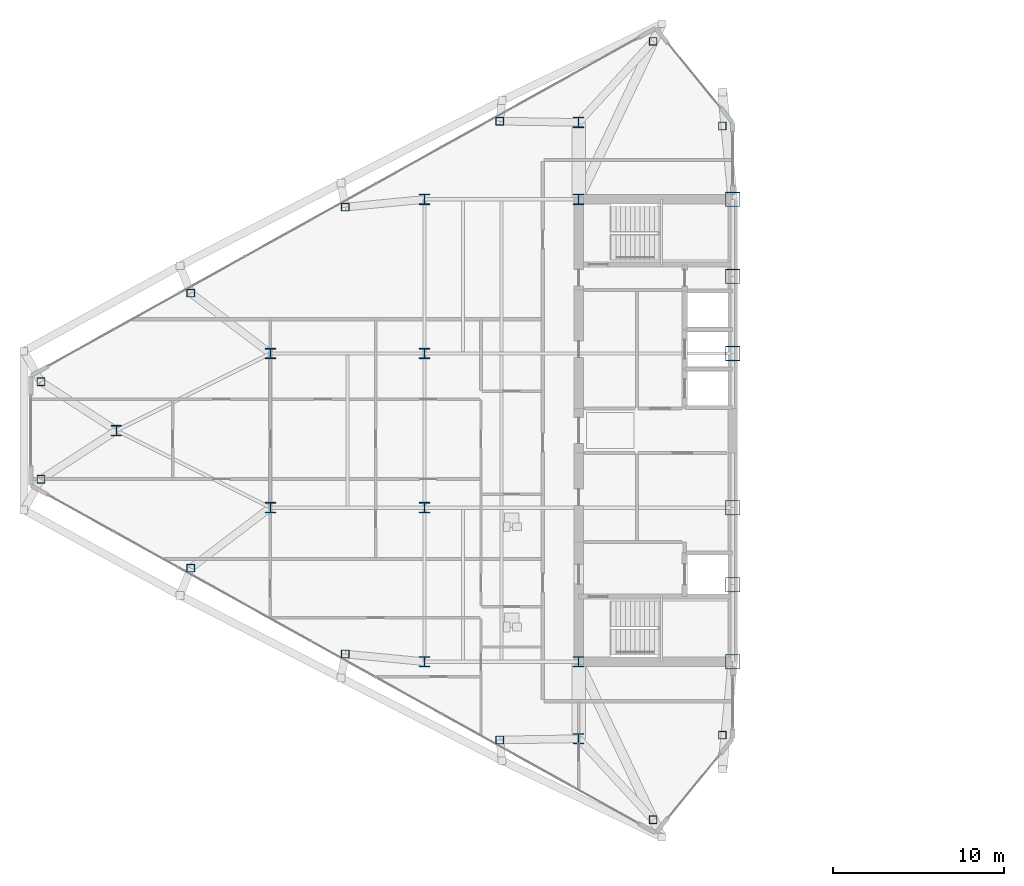
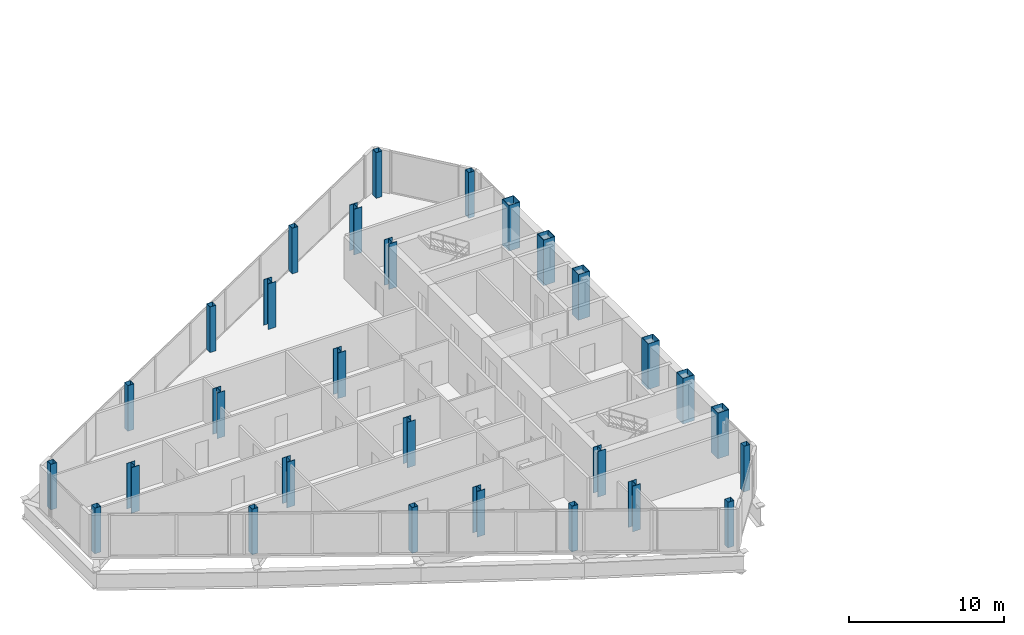
# One storey, part 1 of 28: 29 columns.
"""IFC4 building model written with IfcOpenShell, lengths in metres."""

import ifcopenshell
import ifcopenshell.guid

model = None  # the IFC model being written
_history = None  # IfcOwnerHistory: only IFC2X3 demands one
_inside = {}  # id of a spatial element -> (the spatial element, [elements in it])
_under = {}  # id of a project, library or spatial element -> (it, [spatial elements below it])
_declared = {}  # id of a project -> (the project, [libraries it declares])
_typed = {}  # id of a type object -> (the type object, [elements of that type])
_made_of = {}  # id of a material, layer set ... -> (it, [elements and type objects made of it])


def new_model(schema):
    """Start an empty IFC model of exactly this schema.

    Asked for "IFC4X3", IfcOpenShell would pick the latest addendum, in which some entities
    have other attributes; the version numbers below select the first issue.
    IFC2X3 requires an IfcOwnerHistory on every rooted entity: one is made here for all.
    """
    global model, _history
    if schema == "IFC4X3":
        model = ifcopenshell.file(schema_version=(4, 3, 0, 0))
    else:
        model = ifcopenshell.file(schema=schema)
    _inside.clear()
    _under.clear()
    _declared.clear()
    _typed.clear()
    _made_of.clear()
    _history = None
    if model.schema == "IFC2X3":
        org = make("IfcOrganization", Name="unknown")
        user = make(
            "IfcPersonAndOrganization",
            ThePerson=make("IfcPerson", FamilyName="unknown"),
            TheOrganization=org,
        )
        app = make(
            "IfcApplication",
            ApplicationDeveloper=org,
            Version="unknown",
            ApplicationFullName="unknown",
            ApplicationIdentifier="unknown",
        )
        _history = make(
            "IfcOwnerHistory",
            OwningUser=user,
            OwningApplication=app,
            ChangeAction="ADDED",
            CreationDate=0,
        )
    return model


def make(cls, **values):
    """One entity of the class cls with the attributes given. An attribute that is None is left unset."""
    return model.create_entity(
        cls, **{name: value for name, value in values.items() if value is not None}
    )


def rooted(cls, **values):
    """An entity with a GlobalId (a new one), such as an element, a storey or a relation."""
    return make(cls, GlobalId=ifcopenshell.guid.new(), OwnerHistory=_history, **values)


def si_unit(unit_type, name, prefix=None):
    """IfcSIUnit, for example si_unit("LENGTHUNIT", "METRE", prefix="MILLI")."""
    return make("IfcSIUnit", UnitType=unit_type, Prefix=prefix, Name=name)


def assignment(units):
    """IfcUnitAssignment: the units of a project."""
    return None if units is None else make("IfcUnitAssignment", Units=units)


def point(xyz):
    """IfcCartesianPoint."""
    return None if xyz is None else make("IfcCartesianPoint", Coordinates=xyz)


def direction(xyz):
    """IfcDirection."""
    return None if xyz is None else make("IfcDirection", DirectionRatios=xyz)


def frame(location, z_axis=None, x_axis=None):
    """IfcAxis2Placement3D, a coordinate frame: its origin and axes. An axis left out is left unset."""
    return make(
        "IfcAxis2Placement3D",
        Location=point(location),
        Axis=direction(z_axis),
        RefDirection=direction(x_axis),
    )


def frame_2d(location, x_axis=None):
    """IfcAxis2Placement2D, a coordinate frame in the plane: its origin and x axis."""
    return make(
        "IfcAxis2Placement2D", Location=point(location), RefDirection=direction(x_axis)
    )


def origin():
    """The frame at (0, 0, 0) with its axes left unset."""
    return frame((0.0, 0.0, 0.0))


def origin_2d():
    """The frame at (0, 0) in the plane with its x axis left unset."""
    return frame_2d((0.0, 0.0))


def place(relative_to, where):
    """IfcLocalPlacement: puts the frame where relative to a parent placement (None: the world)."""
    return make(
        "IfcLocalPlacement", PlacementRelTo=relative_to, RelativePlacement=where
    )


def context(
    kind, dimensions, precision=None, world=None, true_north=None, identifier=None
):
    """IfcGeometricRepresentationContext, for example the 3D "Model" context."""
    return make(
        "IfcGeometricRepresentationContext",
        ContextIdentifier=identifier,
        ContextType=kind,
        CoordinateSpaceDimension=dimensions,
        Precision=precision,
        WorldCoordinateSystem=world,
        TrueNorth=true_north,
    )


def subcontext(parent, identifier, kind, view, scale=None):
    """IfcGeometricRepresentationSubContext, for example "Body" below "Model"."""
    return make(
        "IfcGeometricRepresentationSubContext",
        ContextIdentifier=identifier,
        ContextType=kind,
        ParentContext=parent,
        TargetScale=scale,
        TargetView=view,
    )


def project(units=None, contexts=None):
    """IfcProject with its units and contexts."""
    return rooted(
        "IfcProject",
        Name="project",
        RepresentationContexts=contexts,
        UnitsInContext=assignment(units),
    )


def spatial(cls, under=None, at=None, **own):
    """A site, building, storey or space (cls), placed at a placement, below another one or the project."""
    s = rooted(cls, ObjectPlacement=at, **own)
    if under is not None:
        _under.setdefault(under.id(), (under, []))[1].append(s)
    return s


def profile(cls, at=None, kind="AREA", **sizes):
    """A parametric profile (cls). Its sizes go by their IFC names, for example OverallWidth=200.0."""
    return make(cls, ProfileType=kind, Position=at, **sizes)


def hollow_rectangle(**sizes):
    """IfcRectangleHollowProfileDef."""
    return profile("IfcRectangleHollowProfileDef", **sizes)


def i_section(**sizes):
    """IfcIShapeProfileDef."""
    return profile("IfcIShapeProfileDef", **sizes)


def extrude(swept, where, along, depth):
    """IfcExtrudedAreaSolid: the profile swept, set in the frame where, extruded along a direction by depth."""
    return make(
        "IfcExtrudedAreaSolid",
        SweptArea=swept,
        Position=where,
        ExtrudedDirection=direction(along),
        Depth=depth,
    )


def shape(context_of_items, identifier, shape_type, items):
    """IfcShapeRepresentation: the items that make up one representation, for example the "Body"."""
    return make(
        "IfcShapeRepresentation",
        ContextOfItems=context_of_items,
        RepresentationIdentifier=identifier,
        RepresentationType=shape_type,
        Items=items,
    )


def source(mapping_origin, context_of_items, identifier, shape_type, items):
    """IfcRepresentationMap: a shape defined once, which mapped items show again and again."""
    return make(
        "IfcRepresentationMap",
        MappingOrigin=mapping_origin,
        MappedRepresentation=shape(context_of_items, identifier, shape_type, items),
    )


def transform(
    local_origin,
    x_axis=None,
    y_axis=None,
    z_axis=None,
    scale=None,
    scale2=None,
    scale3=None,
    uniform=True,
):
    """IfcCartesianTransformationOperator3D, or its non-uniform kind. x_axis, y_axis, z_axis: its Axis1, 2, 3."""
    if uniform:
        return make(
            "IfcCartesianTransformationOperator3D",
            Axis1=direction(x_axis),
            Axis2=direction(y_axis),
            LocalOrigin=point(local_origin),
            Scale=scale,
            Axis3=direction(z_axis),
        )
    return make(
        "IfcCartesianTransformationOperator3DnonUniform",
        Axis1=direction(x_axis),
        Axis2=direction(y_axis),
        LocalOrigin=point(local_origin),
        Scale=scale,
        Axis3=direction(z_axis),
        Scale2=scale2,
        Scale3=scale3,
    )


def mapped(mapping_source, mapping_target):
    """IfcMappedItem: shows the shape of a source again, moved by a transform."""
    return make(
        "IfcMappedItem", MappingSource=mapping_source, MappingTarget=mapping_target
    )


def material(Name=None, Category=None):
    """IfcMaterial."""
    return make("IfcMaterial", Name=Name, Category=Category)


def material_profile(
    of_material, cross_section, Name=None, Category=None, Priority=None
):
    """IfcMaterialProfile: a cross section and its material."""
    return make(
        "IfcMaterialProfile",
        Name=Name,
        Material=of_material,
        Profile=cross_section,
        Priority=Priority,
        Category=Category,
    )


def profile_set(profiles, Name=None, composite=None):
    """IfcMaterialProfileSet."""
    return make(
        "IfcMaterialProfileSet",
        Name=Name,
        MaterialProfiles=profiles,
        CompositeProfile=composite,
    )


def made_of(thing, what):
    """Note that an element or type object is made of a material, layer set ...; save() writes the relation."""
    if what is not None:
        _made_of.setdefault(what.id(), (what, []))[1].append(thing)
    return thing


def type_object(cls, material=None, **own):
    """A type object (cls), such as IfcWallType, which elements share."""
    return made_of(rooted(cls, **own), material)


def type_shapes(of_type, sources):
    """Give a type object the sources (RepresentationMaps) that its elements show as mapped items."""
    of_type.RepresentationMaps = sources


def element(
    cls,
    number,
    at=None,
    inside=None,
    cuts=None,
    type_object=None,
    material=None,
    context=None,
    identifier="Body",
    shape_type=None,
    held_by="IfcProductDefinitionShape",
    body=None,
    shapes=None,
    **own,
):
    """One element of the class cls, such as IfcWall. Its Tag is "e" and its number.

    at: its placement. inside: the storey or other place that contains it. cuts: it is an
    opening in that element (IfcRelVoidsElement). A single representation is given by context,
    identifier, shape_type and body (its items); several are given by shapes. held_by: the class
    of the entity that holds the representations. save() writes the other relations.
    """
    e = rooted(cls, Tag="e%d" % number, ObjectPlacement=at, **own)
    if body is not None:
        shapes = [shape(context, identifier, shape_type, body)]
    if shapes is not None:
        e.Representation = make(held_by, Representations=shapes)
    if inside is not None:
        _inside.setdefault(inside.id(), (inside, []))[1].append(e)
    if cuts is not None:
        rooted(
            "IfcRelVoidsElement", RelatingBuildingElement=cuts, RelatedOpeningElement=e
        )
    if type_object is not None:
        _typed.setdefault(type_object.id(), (type_object, []))[1].append(e)
    return made_of(e, material)


def aggregate(whole, parts):
    """IfcRelAggregates: a whole, such as a stair, and the parts it consists of."""
    return rooted("IfcRelAggregates", RelatingObject=whole, RelatedObjects=parts)


def save(model, path):
    """Write the relations noted so far, then the file.

    IfcRelAggregates (storeys below a building ...), IfcRelContainedInSpatialStructure (elements
    in a storey), IfcRelDefinesByType, IfcRelAssociatesMaterial and IfcRelDeclares: one each for
    every whole, place, type object, material and project.
    """
    for whole, parts in _under.values():
        aggregate(whole, parts)
    for where, things in _inside.values():
        rooted(
            "IfcRelContainedInSpatialStructure",
            RelatedElements=things,
            RelatingStructure=where,
        )
    for kind, things in _typed.values():
        rooted("IfcRelDefinesByType", RelatedObjects=things, RelatingType=kind)
    for what, things in _made_of.values():
        rooted("IfcRelAssociatesMaterial", RelatedObjects=things, RelatingMaterial=what)
    for by, libraries in _declared.values():
        rooted("IfcRelDeclares", RelatingContext=by, RelatedDefinitions=libraries)
    model.write(path)


model = new_model("IFC4")

# Units and contexts
model_context = context("Model", 3, precision=1e-05, world=origin(), true_north=direction((0.0, 1.0)))
body_context = subcontext(model_context, "Body", "Model", "MODEL_VIEW")
ifc_project = project(units=[si_unit("LENGTHUNIT", "METRE"), si_unit("AREAUNIT", "SQUARE_METRE"), si_unit("VOLUMEUNIT", "CUBIC_METRE"), si_unit("PLANEANGLEUNIT", "RADIAN"), si_unit("MASSUNIT", "GRAM", prefix="KILO")], contexts=[model_context])

# Site, building, storey
site_placement = place(None, origin())
site = spatial("IfcSite", under=ifc_project, at=site_placement, CompositionType="ELEMENT")
building_placement = place(site_placement, origin())
building = spatial("IfcBuilding", under=site, at=building_placement, Name="Seokmaru Belvedere", CompositionType="ELEMENT")
storey_placement = place(building_placement, frame((0.0, 0.0, 158.39990234375)))
storey = spatial("IfcBuildingStorey", under=building, at=storey_placement, Name="L42", CompositionType="ELEMENT", Elevation=158.39990234375)

# Columns
ifc_material_1 = material(Name="Steel SM355 (355 MPa)", Category="steel")
ifc_material_profile_1 = material_profile(ifc_material_1, hollow_rectangle(XDim=0.449951171875, YDim=0.449951171875, WallThickness=0.01806640625, at=origin_2d()), Name="HSS-450x450x18")
ifc_profile_set_1 = profile_set([ifc_material_profile_1], Name="Steel SM355 (355 MPa)")
column_type_1 = type_object("IfcColumnType", Name="Perimeter Facet Column HSS-450", PredefinedType="COLUMN", material=ifc_profile_set_1)
shared_shape_1 = source(origin(), body_context, "Body", "SweptSolid", [
    extrude(hollow_rectangle(XDim=0.449951171875, YDim=0.449951171875, WallThickness=0.01806640625, at=origin_2d()), origin(), (0.0, 0.0, 1.0), 3.60009765625),
])
type_shapes(column_type_1, [shared_shape_1])
for number, where, z_axis, x_axis, name in (
    (1, (-28.10009765625, -17.785888671875, 0.0), (0.0, 0.0, 1.0), (1.0, 0.0, 0.0), "L42 Column WF1"),
    (2, (-28.10009765625, 17.785888671875, 0.0), (0.0, 0.0, 1.0), (1.0, 0.0, 0.0), "L42 Column WF2"),
    (3, (-32.146728515625, 22.731689453125, 0.0), (0.0, 0.0, 1.0), (1.0, 0.0, 0.0), "L42 Column WF3"),
    (4, (-67.89990234375, 2.84716796875, 0.0), (0.0, 0.0, 1.0), (1.0, 0.0, 0.0), "L42 Column WF4"),
    (5, (-67.89990234375, -2.84716796875, 0.0), (0.0, 0.0, 1.0), (1.0, 0.0, 0.0), "L42 Column WF5"),
    (6, (-32.146728515625, -22.731689453125, 0.0), (0.0, 0.0, 1.0), (1.0, 0.0, 0.0), "L42 Column WF6"),
    (7, (-41.103759765625, -18.07080078125, 0.0), (0.0, 0.0, 1.0), (1.0, 0.0, 0.0), "L42 Column WFLK_S1"),
    (8, (-50.129150390625, -13.051025390625, 0.0), (0.0, 0.0, 1.0), (1.0, 0.0, 0.0), "L42 Column WFLK_S2"),
    (9, (-59.154541015625, -8.031494140625, 0.0), (0.0, 0.0, 1.0), (1.0, 0.0, 0.0), "L42 Column WFLK_S3"),
    (10, (-41.103759765625, 18.07080078125, 0.0), (0.0, 0.0, 1.0), (1.0, 0.0, 0.0), "L42 Column WFLK_N1"),
    (11, (-50.129150390625, 13.051025390625, 0.0), (0.0, 0.0, 1.0), (1.0, 0.0, 0.0), "L42 Column WFLK_N2"),
    (12, (-59.154541015625, 8.031494140625, 0.0), (0.0, 0.0, 1.0), (1.0, 0.0, 0.0), "L42 Column WFLK_N3"),
):
    element("IfcColumn", number, at=place(storey_placement, frame(where, z_axis=z_axis, x_axis=x_axis)), inside=storey, type_object=column_type_1, Name=name, PredefinedType="COLUMN", context=body_context, shape_type="MappedRepresentation", body=[
        mapped(shared_shape_1, transform((0.0, 0.0, 0.0), scale=1.0)),
    ])
ifc_material_2 = material(Name="Steel HSA650 (650 MPa)", Category="steel")
ifc_material_profile_2 = material_profile(ifc_material_2, hollow_rectangle(XDim=0.85009765625, YDim=0.85009765625, WallThickness=0.035888671875, at=origin_2d()), Name="BOX-850x850x36")
ifc_profile_set_2 = profile_set([ifc_material_profile_2], Name="Steel HSA650 (650 MPa)")
column_type_2 = type_object("IfcColumnType", Name="Portal Spine Column BOX-850", PredefinedType="COLUMN", material=ifc_profile_set_2)
shared_shape_2 = source(origin(), body_context, "Body", "SweptSolid", [
    extrude(hollow_rectangle(XDim=0.85009765625, YDim=0.85009765625, WallThickness=0.035888671875, at=origin_2d()), origin(), (0.0, 0.0, 1.0), 3.60009765625),
])
type_shapes(column_type_2, [shared_shape_2])
for number, where, z_axis, x_axis, name in (
    (13, (-27.5, -13.5, 0.0), (0.0, 0.0, 1.0), (1.0, 0.0, 0.0), "L42 Column WS1"),
    (14, (-27.5, -9.0, 0.0), (0.0, 0.0, 1.0), (1.0, 0.0, 0.0), "L42 Column WS2"),
    (15, (-27.5, -4.5, 0.0), (0.0, 0.0, 1.0), (1.0, 0.0, 0.0), "L42 Column WS3"),
    (16, (-27.5, 4.5, 0.0), (0.0, 0.0, 1.0), (1.0, 0.0, 0.0), "L42 Column WS4"),
    (17, (-27.5, 9.0, 0.0), (0.0, 0.0, 1.0), (1.0, 0.0, 0.0), "L42 Column WS5"),
    (18, (-27.5, 13.5, 0.0), (0.0, 0.0, 1.0), (1.0, 0.0, 0.0), "L42 Column WS6"),
):
    element("IfcColumn", number, at=place(storey_placement, frame(where, z_axis=z_axis, x_axis=x_axis)), inside=storey, type_object=column_type_2, Name=name, PredefinedType="COLUMN", context=body_context, shape_type="MappedRepresentation", body=[
        mapped(shared_shape_2, transform((0.0, 0.0, 0.0), scale=1.0)),
    ])
ifc_material_profile_3 = material_profile(ifc_material_1, i_section(OverallWidth=0.60009765625, OverallDepth=0.60009765625, WebThickness=0.02490234375, FlangeThickness=0.0400390625, at=origin_2d()), Name="H-600x600x25x40")
ifc_profile_set_3 = profile_set([ifc_material_profile_3], Name="Steel SM355 (355 MPa)")
column_type_3 = type_object("IfcColumnType", Name="Upper-Mid Interior Column H-600", PredefinedType="COLUMN", material=ifc_profile_set_3)
shared_shape_3 = source(origin(), body_context, "Body", "SweptSolid", [
    extrude(i_section(OverallWidth=0.60009765625, OverallDepth=0.60009765625, WebThickness=0.02490234375, FlangeThickness=0.0400390625, at=origin_2d()), origin(), (0.0, 0.0, 1.0), 3.60009765625),
])
type_shapes(column_type_3, [shared_shape_3])
for number, where, z_axis, x_axis, name in (
    (19, (-36.5, -18.0, 0.0), (0.0, 0.0, 1.0), (1.0, 0.0, 0.0), "L42 Column WC1"),
    (20, (-36.5, -13.5, 0.0), (0.0, 0.0, 1.0), (1.0, 0.0, 0.0), "L42 Column WC2"),
    (21, (-36.5, 13.5, 0.0), (0.0, 0.0, 1.0), (1.0, 0.0, 0.0), "L42 Column WC3"),
    (22, (-36.5, 18.0, 0.0), (0.0, 0.0, 1.0), (1.0, 0.0, 0.0), "L42 Column WC4"),
    (23, (-45.5, -13.5, 0.0), (0.0, 0.0, 1.0), (1.0, 0.0, 0.0), "L42 Column WG5_1"),
    (24, (-45.5, -4.5, 0.0), (0.0, 0.0, 1.0), (1.0, 0.0, 0.0), "L42 Column WG5_2"),
    (25, (-45.5, 4.5, 0.0), (0.0, 0.0, 1.0), (1.0, 0.0, 0.0), "L42 Column WG5_3"),
    (26, (-45.5, 13.5, 0.0), (0.0, 0.0, 1.0), (1.0, 0.0, 0.0), "L42 Column WG5_4"),
    (27, (-54.5, -4.5, 0.0), (0.0, 0.0, 1.0), (1.0, 0.0, 0.0), "L42 Column WG4P_1"),
    (28, (-54.5, 4.5, 0.0), (0.0, 0.0, 1.0), (1.0, 0.0, 0.0), "L42 Column WG4P_2"),
    (29, (-63.5, 0.0, 0.0), (0.0, 0.0, 1.0), (1.0, 0.0, 0.0), "L42 Column WG3P_1"),
):
    element("IfcColumn", number, at=place(storey_placement, frame(where, z_axis=z_axis, x_axis=x_axis)), inside=storey, type_object=column_type_3, Name=name, PredefinedType="COLUMN", context=body_context, shape_type="MappedRepresentation", body=[
        mapped(shared_shape_3, transform((0.0, 0.0, 0.0), scale=1.0)),
    ])

save(model, "model.ifc")
